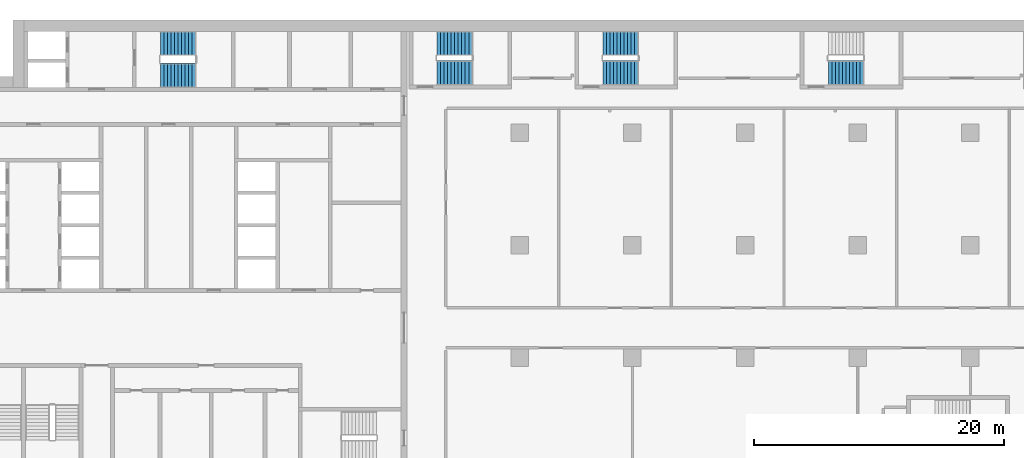
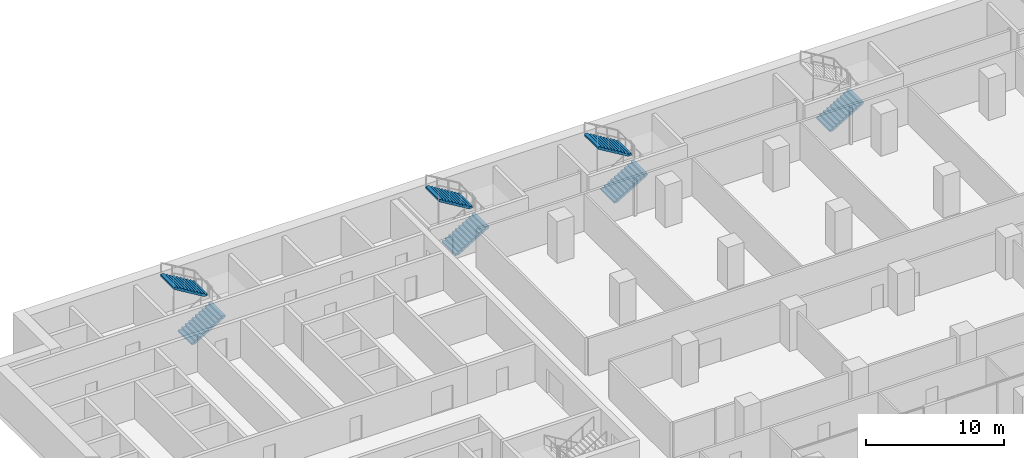
# One storey, part 22 of 29: 7 stair flights, 4 elements without a shape of their own.
"""IFC4 building model written with IfcOpenShell, lengths in metres."""

from ifc_helpers import new_model, si_unit, direction, frame, origin, place, context, subcontext, project, spatial, polyline, outline, extrude, material, type_object, element, aggregate, save


model = new_model("IFC4")

# Units and contexts
model_context = context("Model", 3, precision=1e-05, world=origin(), true_north=direction((0.0, 1.0)))
body_context = subcontext(model_context, "Body", "Model", "MODEL_VIEW")
ifc_project = project(units=[si_unit("LENGTHUNIT", "METRE"), si_unit("AREAUNIT", "SQUARE_METRE"), si_unit("VOLUMEUNIT", "CUBIC_METRE"), si_unit("PLANEANGLEUNIT", "RADIAN"), si_unit("MASSUNIT", "GRAM", prefix="KILO")], contexts=[model_context])

# Site, building, storey
site_placement = place(None, origin())
site = spatial("IfcSite", under=ifc_project, at=site_placement, CompositionType="ELEMENT")
building_placement = place(site_placement, origin())
building = spatial("IfcBuilding", under=site, at=building_placement, Name="Hunhe Ridgeline Campus", CompositionType="ELEMENT")
storey_placement = place(building_placement, frame((0.0, 0.0, 54.300048828125)))
storey = spatial("IfcBuildingStorey", under=building, at=storey_placement, Name="L12", CompositionType="ELEMENT", Elevation=54.300048828125)

# Stair, stair flights
ifc_material = material(Name="Concrete C40", Category="concrete")
stair_type = type_object("IfcStairType", Name="Reinforced concrete dog-leg stair 1950 Concrete C40", PredefinedType="HALF_TURN_STAIR", material=ifc_material)
stair_1_placement = place(storey_placement, origin())
stair_1 = element("IfcStair", 1, at=stair_1_placement, inside=storey, type_object=stair_type, Name="L12 S1", PredefinedType="HALF_TURN_STAIR")
stair_flight_type = type_object("IfcStairFlightType", Name="Reinforced concrete stair flight 1950 Concrete C40", PredefinedType="STRAIGHT", material=ifc_material)
stair_flight_1_placement = place(storey_placement, frame((16.300048828125, 94.574951171875, 0.0), z_axis=(0.0, 0.0, 1.0), x_axis=(1.0, 0.0, 0.0)))
stair_flight_1 = element("IfcStairFlight", 2, at=stair_flight_1_placement, type_object=stair_flight_type, Name="ST1 flight 1", NumberOfRisers=11, NumberOfTreads=10, PredefinedType="STRAIGHT", RiserHeight=0.168181818, TreadLength=0.28, context=body_context, shape_type="SweptSolid", body=[
    extrude(outline(polyline([(0.0, 0.0), (0.0, 0.168212890625), (0.280029296875, 0.168212890625), (0.280029296875, 0.33642578125), (0.56005859375, 0.33642578125), (0.56005859375, 0.504638671875), (0.840087890625, 0.504638671875), (0.840087890625, 0.672607421875), (1.1201171875, 0.672607421875), (1.1201171875, 0.8408203125), (1.39990234375, 0.8408203125), (1.39990234375, 1.009033203125), (1.679931640625, 1.009033203125), (1.679931640625, 1.17724609375), (1.9599609375, 1.17724609375), (1.9599609375, 1.345458984375), (2.239990234375, 1.345458984375), (2.239990234375, 1.513671875), (2.52001953125, 1.513671875), (2.52001953125, 1.681884765625), (2.800048828125, 1.681884765625), (2.800048828125, 1.85009765625), (2.800048828125, 1.5068359375), (0.291015625, 0.0), (0.0, 0.0)])), frame((0.0, 0.97509765625, 0.0), z_axis=(0.0, -1.0, 0.0), x_axis=(1.0, 0.0, 0.0)), (0.0, 0.0, 1.0), 1.949951171875),
    extrude(outline(polyline([(0.030029296875, 0.030029296875), (0.030029296875, 0.13818359375), (0.31005859375, 0.13818359375), (0.31005859375, 0.306396484375), (0.590087890625, 0.306396484375), (0.590087890625, 0.474609375), (0.8701171875, 0.474609375), (0.8701171875, 0.642578125), (1.14990234375, 0.642578125), (1.14990234375, 0.810791015625), (1.429931640625, 0.810791015625), (1.429931640625, 0.97900390625), (1.7099609375, 0.97900390625), (1.7099609375, 1.147216796875), (1.989990234375, 1.147216796875), (1.989990234375, 1.3154296875), (2.27001953125, 1.3154296875), (2.27001953125, 1.483642578125), (2.550048828125, 1.483642578125), (2.550048828125, 1.65185546875), (2.77001953125, 1.65185546875), (2.77001953125, 1.52392578125), (0.28271484375, 0.030029296875), (0.030029296875, 0.030029296875)])), frame((0.0, -0.070068359375, 0.0), z_axis=(0.0, -1.0, 0.0), x_axis=(1.0, 0.0, 0.0)), (0.0, 0.0, 1.0), 0.019775390625),
    extrude(outline(polyline([(0.030029296875, 0.030029296875), (0.030029296875, 0.13818359375), (0.31005859375, 0.13818359375), (0.31005859375, 0.306396484375), (0.590087890625, 0.306396484375), (0.590087890625, 0.474609375), (0.8701171875, 0.474609375), (0.8701171875, 0.642578125), (1.14990234375, 0.642578125), (1.14990234375, 0.810791015625), (1.429931640625, 0.810791015625), (1.429931640625, 0.97900390625), (1.7099609375, 0.97900390625), (1.7099609375, 1.147216796875), (1.989990234375, 1.147216796875), (1.989990234375, 1.3154296875), (2.27001953125, 1.3154296875), (2.27001953125, 1.483642578125), (2.550048828125, 1.483642578125), (2.550048828125, 1.65185546875), (2.77001953125, 1.65185546875), (2.77001953125, 1.52392578125), (0.28271484375, 0.030029296875), (0.030029296875, 0.030029296875)])), frame((0.0, 0.010009765625, 0.0), z_axis=(0.0, -1.0, 0.0), x_axis=(1.0, 0.0, 0.0)), (0.0, 0.0, 1.0), 0.019775390625),
    extrude(outline(polyline([(0.030029296875, 0.030029296875), (0.030029296875, 0.13818359375), (0.31005859375, 0.13818359375), (0.31005859375, 0.306396484375), (0.590087890625, 0.306396484375), (0.590087890625, 0.474609375), (0.8701171875, 0.474609375), (0.8701171875, 0.642578125), (1.14990234375, 0.642578125), (1.14990234375, 0.810791015625), (1.429931640625, 0.810791015625), (1.429931640625, 0.97900390625), (1.7099609375, 0.97900390625), (1.7099609375, 1.147216796875), (1.989990234375, 1.147216796875), (1.989990234375, 1.3154296875), (2.27001953125, 1.3154296875), (2.27001953125, 1.483642578125), (2.550048828125, 1.483642578125), (2.550048828125, 1.65185546875), (2.77001953125, 1.65185546875), (2.77001953125, 1.52392578125), (0.28271484375, 0.030029296875), (0.030029296875, 0.030029296875)])), frame((0.0, 0.090087890625, 0.0), z_axis=(0.0, -1.0, 0.0), x_axis=(1.0, 0.0, 0.0)), (0.0, 0.0, 1.0), 0.019775390625),
])
stair_flight_2_placement = place(storey_placement, frame((19.10009765625, 97.125, 1.849853515625), z_axis=(0.0, 0.0, 1.0), x_axis=(-1.0, 0.0, 0.0)))
stair_flight_2 = element("IfcStairFlight", 3, at=stair_flight_2_placement, type_object=stair_flight_type, Name="ST1 flight 2", NumberOfRisers=11, NumberOfTreads=10, PredefinedType="STRAIGHT", RiserHeight=0.168181818, TreadLength=0.28, context=body_context, shape_type="SweptSolid", body=[
    extrude(outline(polyline([(0.0, 0.0), (0.0, 0.168212890625), (0.280029296875, 0.168212890625), (0.280029296875, 0.33642578125), (0.56005859375, 0.33642578125), (0.56005859375, 0.504638671875), (0.840087890625, 0.504638671875), (0.840087890625, 0.672607421875), (1.1201171875, 0.672607421875), (1.1201171875, 0.8408203125), (1.39990234375, 0.8408203125), (1.39990234375, 1.009033203125), (1.679931640625, 1.009033203125), (1.679931640625, 1.17724609375), (1.9599609375, 1.17724609375), (1.9599609375, 1.345458984375), (2.239990234375, 1.345458984375), (2.239990234375, 1.513671875), (2.52001953125, 1.513671875), (2.52001953125, 1.681884765625), (2.800048828125, 1.681884765625), (2.800048828125, 1.85009765625), (2.800048828125, 1.5068359375), (0.291015625, 0.0), (0.0, 0.0)])), frame((0.0, 0.97509765625, 0.0), z_axis=(0.0, -1.0, 0.0), x_axis=(1.0, 0.0, 0.0)), (0.0, 0.0, 1.0), 1.949951171875),
    extrude(outline(polyline([(0.030029296875, 0.030029296875), (0.030029296875, 0.13818359375), (0.31005859375, 0.13818359375), (0.31005859375, 0.306396484375), (0.590087890625, 0.306396484375), (0.590087890625, 0.474609375), (0.8701171875, 0.474609375), (0.8701171875, 0.642578125), (1.14990234375, 0.642578125), (1.14990234375, 0.810791015625), (1.429931640625, 0.810791015625), (1.429931640625, 0.97900390625), (1.7099609375, 0.97900390625), (1.7099609375, 1.147216796875), (1.989990234375, 1.147216796875), (1.989990234375, 1.3154296875), (2.27001953125, 1.3154296875), (2.27001953125, 1.483642578125), (2.550048828125, 1.483642578125), (2.550048828125, 1.65185546875), (2.77001953125, 1.65185546875), (2.77001953125, 1.52392578125), (0.28271484375, 0.030029296875), (0.030029296875, 0.030029296875)])), frame((0.0, -0.070068359375, 0.0), z_axis=(0.0, -1.0, 0.0), x_axis=(1.0, 0.0, 0.0)), (0.0, 0.0, 1.0), 0.019775390625),
    extrude(outline(polyline([(0.030029296875, 0.030029296875), (0.030029296875, 0.13818359375), (0.31005859375, 0.13818359375), (0.31005859375, 0.306396484375), (0.590087890625, 0.306396484375), (0.590087890625, 0.474609375), (0.8701171875, 0.474609375), (0.8701171875, 0.642578125), (1.14990234375, 0.642578125), (1.14990234375, 0.810791015625), (1.429931640625, 0.810791015625), (1.429931640625, 0.97900390625), (1.7099609375, 0.97900390625), (1.7099609375, 1.147216796875), (1.989990234375, 1.147216796875), (1.989990234375, 1.3154296875), (2.27001953125, 1.3154296875), (2.27001953125, 1.483642578125), (2.550048828125, 1.483642578125), (2.550048828125, 1.65185546875), (2.77001953125, 1.65185546875), (2.77001953125, 1.52392578125), (0.28271484375, 0.030029296875), (0.030029296875, 0.030029296875)])), frame((0.0, 0.010009765625, 0.0), z_axis=(0.0, -1.0, 0.0), x_axis=(1.0, 0.0, 0.0)), (0.0, 0.0, 1.0), 0.019775390625),
    extrude(outline(polyline([(0.030029296875, 0.030029296875), (0.030029296875, 0.13818359375), (0.31005859375, 0.13818359375), (0.31005859375, 0.306396484375), (0.590087890625, 0.306396484375), (0.590087890625, 0.474609375), (0.8701171875, 0.474609375), (0.8701171875, 0.642578125), (1.14990234375, 0.642578125), (1.14990234375, 0.810791015625), (1.429931640625, 0.810791015625), (1.429931640625, 0.97900390625), (1.7099609375, 0.97900390625), (1.7099609375, 1.147216796875), (1.989990234375, 1.147216796875), (1.989990234375, 1.3154296875), (2.27001953125, 1.3154296875), (2.27001953125, 1.483642578125), (2.550048828125, 1.483642578125), (2.550048828125, 1.65185546875), (2.77001953125, 1.65185546875), (2.77001953125, 1.52392578125), (0.28271484375, 0.030029296875), (0.030029296875, 0.030029296875)])), frame((0.0, 0.090087890625, 0.0), z_axis=(0.0, -1.0, 0.0), x_axis=(1.0, 0.0, 0.0)), (0.0, 0.0, 1.0), 0.019775390625),
])
aggregate(stair_1, [stair_flight_1, stair_flight_2])

stair_2_placement = place(storey_placement, origin())
stair_2 = element("IfcStair", 4, at=stair_2_placement, inside=storey, type_object=stair_type, Name="L12 E1", PredefinedType="HALF_TURN_STAIR")
stair_flight_3_placement = place(storey_placement, frame((38.39990234375, 94.77490234375, 0.0), z_axis=(0.0, 0.0, 1.0), x_axis=(1.0, 0.0, 0.0)))
stair_flight_3 = element("IfcStairFlight", 5, at=stair_flight_3_placement, type_object=stair_flight_type, Name="ST5 flight 1", NumberOfRisers=11, NumberOfTreads=10, PredefinedType="STRAIGHT", RiserHeight=0.168181818, TreadLength=0.28, context=body_context, shape_type="SweptSolid", body=[
    extrude(outline(polyline([(0.0, 0.0), (0.0, 0.168212890625), (0.280029296875, 0.168212890625), (0.280029296875, 0.33642578125), (0.56005859375, 0.33642578125), (0.56005859375, 0.504638671875), (0.840087890625, 0.504638671875), (0.840087890625, 0.672607421875), (1.1201171875, 0.672607421875), (1.1201171875, 0.8408203125), (1.39990234375, 0.8408203125), (1.39990234375, 1.009033203125), (1.679931640625, 1.009033203125), (1.679931640625, 1.17724609375), (1.9599609375, 1.17724609375), (1.9599609375, 1.345458984375), (2.239990234375, 1.345458984375), (2.239990234375, 1.513671875), (2.52001953125, 1.513671875), (2.52001953125, 1.681884765625), (2.800048828125, 1.681884765625), (2.800048828125, 1.85009765625), (2.800048828125, 1.5068359375), (0.291015625, 0.0), (0.0, 0.0)])), frame((0.0, 0.97509765625, 0.0), z_axis=(0.0, -1.0, 0.0), x_axis=(1.0, 0.0, 0.0)), (0.0, 0.0, 1.0), 1.949951171875),
    extrude(outline(polyline([(0.030029296875, 0.030029296875), (0.030029296875, 0.13818359375), (0.31005859375, 0.13818359375), (0.31005859375, 0.306396484375), (0.590087890625, 0.306396484375), (0.590087890625, 0.474609375), (0.8701171875, 0.474609375), (0.8701171875, 0.642578125), (1.14990234375, 0.642578125), (1.14990234375, 0.810791015625), (1.429931640625, 0.810791015625), (1.429931640625, 0.97900390625), (1.7099609375, 0.97900390625), (1.7099609375, 1.147216796875), (1.989990234375, 1.147216796875), (1.989990234375, 1.3154296875), (2.27001953125, 1.3154296875), (2.27001953125, 1.483642578125), (2.550048828125, 1.483642578125), (2.550048828125, 1.65185546875), (2.77001953125, 1.65185546875), (2.77001953125, 1.52392578125), (0.28271484375, 0.030029296875), (0.030029296875, 0.030029296875)])), frame((0.0, -0.070068359375, 0.0), z_axis=(0.0, -1.0, 0.0), x_axis=(1.0, 0.0, 0.0)), (0.0, 0.0, 1.0), 0.019775390625),
    extrude(outline(polyline([(0.030029296875, 0.030029296875), (0.030029296875, 0.13818359375), (0.31005859375, 0.13818359375), (0.31005859375, 0.306396484375), (0.590087890625, 0.306396484375), (0.590087890625, 0.474609375), (0.8701171875, 0.474609375), (0.8701171875, 0.642578125), (1.14990234375, 0.642578125), (1.14990234375, 0.810791015625), (1.429931640625, 0.810791015625), (1.429931640625, 0.97900390625), (1.7099609375, 0.97900390625), (1.7099609375, 1.147216796875), (1.989990234375, 1.147216796875), (1.989990234375, 1.3154296875), (2.27001953125, 1.3154296875), (2.27001953125, 1.483642578125), (2.550048828125, 1.483642578125), (2.550048828125, 1.65185546875), (2.77001953125, 1.65185546875), (2.77001953125, 1.52392578125), (0.28271484375, 0.030029296875), (0.030029296875, 0.030029296875)])), frame((0.0, 0.010009765625, 0.0), z_axis=(0.0, -1.0, 0.0), x_axis=(1.0, 0.0, 0.0)), (0.0, 0.0, 1.0), 0.019775390625),
    extrude(outline(polyline([(0.030029296875, 0.030029296875), (0.030029296875, 0.13818359375), (0.31005859375, 0.13818359375), (0.31005859375, 0.306396484375), (0.590087890625, 0.306396484375), (0.590087890625, 0.474609375), (0.8701171875, 0.474609375), (0.8701171875, 0.642578125), (1.14990234375, 0.642578125), (1.14990234375, 0.810791015625), (1.429931640625, 0.810791015625), (1.429931640625, 0.97900390625), (1.7099609375, 0.97900390625), (1.7099609375, 1.147216796875), (1.989990234375, 1.147216796875), (1.989990234375, 1.3154296875), (2.27001953125, 1.3154296875), (2.27001953125, 1.483642578125), (2.550048828125, 1.483642578125), (2.550048828125, 1.65185546875), (2.77001953125, 1.65185546875), (2.77001953125, 1.52392578125), (0.28271484375, 0.030029296875), (0.030029296875, 0.030029296875)])), frame((0.0, 0.090087890625, 0.0), z_axis=(0.0, -1.0, 0.0), x_axis=(1.0, 0.0, 0.0)), (0.0, 0.0, 1.0), 0.019775390625),
])
stair_flight_4_placement = place(storey_placement, frame((41.199951171875, 97.125, 1.849853515625), z_axis=(0.0, 0.0, 1.0), x_axis=(-1.0, 0.0, 0.0)))
stair_flight_4 = element("IfcStairFlight", 6, at=stair_flight_4_placement, type_object=stair_flight_type, Name="ST5 flight 2", NumberOfRisers=11, NumberOfTreads=10, PredefinedType="STRAIGHT", RiserHeight=0.168181818, TreadLength=0.28, context=body_context, shape_type="SweptSolid", body=[
    extrude(outline(polyline([(0.0, 0.0), (0.0, 0.168212890625), (0.280029296875, 0.168212890625), (0.280029296875, 0.33642578125), (0.56005859375, 0.33642578125), (0.56005859375, 0.504638671875), (0.840087890625, 0.504638671875), (0.840087890625, 0.672607421875), (1.1201171875, 0.672607421875), (1.1201171875, 0.8408203125), (1.39990234375, 0.8408203125), (1.39990234375, 1.009033203125), (1.679931640625, 1.009033203125), (1.679931640625, 1.17724609375), (1.9599609375, 1.17724609375), (1.9599609375, 1.345458984375), (2.239990234375, 1.345458984375), (2.239990234375, 1.513671875), (2.52001953125, 1.513671875), (2.52001953125, 1.681884765625), (2.800048828125, 1.681884765625), (2.800048828125, 1.85009765625), (2.800048828125, 1.5068359375), (0.291015625, 0.0), (0.0, 0.0)])), frame((0.0, 0.97509765625, 0.0), z_axis=(0.0, -1.0, 0.0), x_axis=(1.0, 0.0, 0.0)), (0.0, 0.0, 1.0), 1.949951171875),
    extrude(outline(polyline([(0.030029296875, 0.030029296875), (0.030029296875, 0.13818359375), (0.31005859375, 0.13818359375), (0.31005859375, 0.306396484375), (0.590087890625, 0.306396484375), (0.590087890625, 0.474609375), (0.8701171875, 0.474609375), (0.8701171875, 0.642578125), (1.14990234375, 0.642578125), (1.14990234375, 0.810791015625), (1.429931640625, 0.810791015625), (1.429931640625, 0.97900390625), (1.7099609375, 0.97900390625), (1.7099609375, 1.147216796875), (1.989990234375, 1.147216796875), (1.989990234375, 1.3154296875), (2.27001953125, 1.3154296875), (2.27001953125, 1.483642578125), (2.550048828125, 1.483642578125), (2.550048828125, 1.65185546875), (2.77001953125, 1.65185546875), (2.77001953125, 1.52392578125), (0.28271484375, 0.030029296875), (0.030029296875, 0.030029296875)])), frame((0.0, -0.070068359375, 0.0), z_axis=(0.0, -1.0, 0.0), x_axis=(1.0, 0.0, 0.0)), (0.0, 0.0, 1.0), 0.019775390625),
    extrude(outline(polyline([(0.030029296875, 0.030029296875), (0.030029296875, 0.13818359375), (0.31005859375, 0.13818359375), (0.31005859375, 0.306396484375), (0.590087890625, 0.306396484375), (0.590087890625, 0.474609375), (0.8701171875, 0.474609375), (0.8701171875, 0.642578125), (1.14990234375, 0.642578125), (1.14990234375, 0.810791015625), (1.429931640625, 0.810791015625), (1.429931640625, 0.97900390625), (1.7099609375, 0.97900390625), (1.7099609375, 1.147216796875), (1.989990234375, 1.147216796875), (1.989990234375, 1.3154296875), (2.27001953125, 1.3154296875), (2.27001953125, 1.483642578125), (2.550048828125, 1.483642578125), (2.550048828125, 1.65185546875), (2.77001953125, 1.65185546875), (2.77001953125, 1.52392578125), (0.28271484375, 0.030029296875), (0.030029296875, 0.030029296875)])), frame((0.0, 0.010009765625, 0.0), z_axis=(0.0, -1.0, 0.0), x_axis=(1.0, 0.0, 0.0)), (0.0, 0.0, 1.0), 0.019775390625),
    extrude(outline(polyline([(0.030029296875, 0.030029296875), (0.030029296875, 0.13818359375), (0.31005859375, 0.13818359375), (0.31005859375, 0.306396484375), (0.590087890625, 0.306396484375), (0.590087890625, 0.474609375), (0.8701171875, 0.474609375), (0.8701171875, 0.642578125), (1.14990234375, 0.642578125), (1.14990234375, 0.810791015625), (1.429931640625, 0.810791015625), (1.429931640625, 0.97900390625), (1.7099609375, 0.97900390625), (1.7099609375, 1.147216796875), (1.989990234375, 1.147216796875), (1.989990234375, 1.3154296875), (2.27001953125, 1.3154296875), (2.27001953125, 1.483642578125), (2.550048828125, 1.483642578125), (2.550048828125, 1.65185546875), (2.77001953125, 1.65185546875), (2.77001953125, 1.52392578125), (0.28271484375, 0.030029296875), (0.030029296875, 0.030029296875)])), frame((0.0, 0.090087890625, 0.0), z_axis=(0.0, -1.0, 0.0), x_axis=(1.0, 0.0, 0.0)), (0.0, 0.0, 1.0), 0.019775390625),
])
aggregate(stair_2, [stair_flight_3, stair_flight_4])

stair_3_placement = place(storey_placement, origin())
stair_3 = element("IfcStair", 7, at=stair_3_placement, inside=storey, type_object=stair_type, Name="L12 E2", PredefinedType="HALF_TURN_STAIR")
stair_flight_5_placement = place(storey_placement, frame((51.64990234375, 94.77490234375, 0.0), z_axis=(0.0, 0.0, 1.0), x_axis=(1.0, 0.0, 0.0)))
stair_flight_5 = element("IfcStairFlight", 8, at=stair_flight_5_placement, type_object=stair_flight_type, Name="ST6 flight 1", NumberOfRisers=11, NumberOfTreads=10, PredefinedType="STRAIGHT", RiserHeight=0.168181818, TreadLength=0.28, context=body_context, shape_type="SweptSolid", body=[
    extrude(outline(polyline([(0.0, 0.0), (0.0, 0.168212890625), (0.280029296875, 0.168212890625), (0.280029296875, 0.33642578125), (0.56005859375, 0.33642578125), (0.56005859375, 0.504638671875), (0.840087890625, 0.504638671875), (0.840087890625, 0.672607421875), (1.1201171875, 0.672607421875), (1.1201171875, 0.8408203125), (1.39990234375, 0.8408203125), (1.39990234375, 1.009033203125), (1.679931640625, 1.009033203125), (1.679931640625, 1.17724609375), (1.9599609375, 1.17724609375), (1.9599609375, 1.345458984375), (2.239990234375, 1.345458984375), (2.239990234375, 1.513671875), (2.52001953125, 1.513671875), (2.52001953125, 1.681884765625), (2.800048828125, 1.681884765625), (2.800048828125, 1.85009765625), (2.800048828125, 1.5068359375), (0.291015625, 0.0), (0.0, 0.0)])), frame((0.0, 0.97509765625, 0.0), z_axis=(0.0, -1.0, 0.0), x_axis=(1.0, 0.0, 0.0)), (0.0, 0.0, 1.0), 1.949951171875),
    extrude(outline(polyline([(0.030029296875, 0.030029296875), (0.030029296875, 0.13818359375), (0.31005859375, 0.13818359375), (0.31005859375, 0.306396484375), (0.590087890625, 0.306396484375), (0.590087890625, 0.474609375), (0.8701171875, 0.474609375), (0.8701171875, 0.642578125), (1.14990234375, 0.642578125), (1.14990234375, 0.810791015625), (1.429931640625, 0.810791015625), (1.429931640625, 0.97900390625), (1.7099609375, 0.97900390625), (1.7099609375, 1.147216796875), (1.989990234375, 1.147216796875), (1.989990234375, 1.3154296875), (2.27001953125, 1.3154296875), (2.27001953125, 1.483642578125), (2.550048828125, 1.483642578125), (2.550048828125, 1.65185546875), (2.77001953125, 1.65185546875), (2.77001953125, 1.52392578125), (0.28271484375, 0.030029296875), (0.030029296875, 0.030029296875)])), frame((0.0, -0.070068359375, 0.0), z_axis=(0.0, -1.0, 0.0), x_axis=(1.0, 0.0, 0.0)), (0.0, 0.0, 1.0), 0.019775390625),
    extrude(outline(polyline([(0.030029296875, 0.030029296875), (0.030029296875, 0.13818359375), (0.31005859375, 0.13818359375), (0.31005859375, 0.306396484375), (0.590087890625, 0.306396484375), (0.590087890625, 0.474609375), (0.8701171875, 0.474609375), (0.8701171875, 0.642578125), (1.14990234375, 0.642578125), (1.14990234375, 0.810791015625), (1.429931640625, 0.810791015625), (1.429931640625, 0.97900390625), (1.7099609375, 0.97900390625), (1.7099609375, 1.147216796875), (1.989990234375, 1.147216796875), (1.989990234375, 1.3154296875), (2.27001953125, 1.3154296875), (2.27001953125, 1.483642578125), (2.550048828125, 1.483642578125), (2.550048828125, 1.65185546875), (2.77001953125, 1.65185546875), (2.77001953125, 1.52392578125), (0.28271484375, 0.030029296875), (0.030029296875, 0.030029296875)])), frame((0.0, 0.010009765625, 0.0), z_axis=(0.0, -1.0, 0.0), x_axis=(1.0, 0.0, 0.0)), (0.0, 0.0, 1.0), 0.019775390625),
    extrude(outline(polyline([(0.030029296875, 0.030029296875), (0.030029296875, 0.13818359375), (0.31005859375, 0.13818359375), (0.31005859375, 0.306396484375), (0.590087890625, 0.306396484375), (0.590087890625, 0.474609375), (0.8701171875, 0.474609375), (0.8701171875, 0.642578125), (1.14990234375, 0.642578125), (1.14990234375, 0.810791015625), (1.429931640625, 0.810791015625), (1.429931640625, 0.97900390625), (1.7099609375, 0.97900390625), (1.7099609375, 1.147216796875), (1.989990234375, 1.147216796875), (1.989990234375, 1.3154296875), (2.27001953125, 1.3154296875), (2.27001953125, 1.483642578125), (2.550048828125, 1.483642578125), (2.550048828125, 1.65185546875), (2.77001953125, 1.65185546875), (2.77001953125, 1.52392578125), (0.28271484375, 0.030029296875), (0.030029296875, 0.030029296875)])), frame((0.0, 0.090087890625, 0.0), z_axis=(0.0, -1.0, 0.0), x_axis=(1.0, 0.0, 0.0)), (0.0, 0.0, 1.0), 0.019775390625),
])
stair_flight_6_placement = place(storey_placement, frame((54.449951171875, 97.125, 1.849853515625), z_axis=(0.0, 0.0, 1.0), x_axis=(-1.0, 0.0, 0.0)))
stair_flight_6 = element("IfcStairFlight", 9, at=stair_flight_6_placement, type_object=stair_flight_type, Name="ST6 flight 2", NumberOfRisers=11, NumberOfTreads=10, PredefinedType="STRAIGHT", RiserHeight=0.168181818, TreadLength=0.28, context=body_context, shape_type="SweptSolid", body=[
    extrude(outline(polyline([(0.0, 0.0), (0.0, 0.168212890625), (0.280029296875, 0.168212890625), (0.280029296875, 0.33642578125), (0.56005859375, 0.33642578125), (0.56005859375, 0.504638671875), (0.840087890625, 0.504638671875), (0.840087890625, 0.672607421875), (1.1201171875, 0.672607421875), (1.1201171875, 0.8408203125), (1.39990234375, 0.8408203125), (1.39990234375, 1.009033203125), (1.679931640625, 1.009033203125), (1.679931640625, 1.17724609375), (1.9599609375, 1.17724609375), (1.9599609375, 1.345458984375), (2.239990234375, 1.345458984375), (2.239990234375, 1.513671875), (2.52001953125, 1.513671875), (2.52001953125, 1.681884765625), (2.800048828125, 1.681884765625), (2.800048828125, 1.85009765625), (2.800048828125, 1.5068359375), (0.291015625, 0.0), (0.0, 0.0)])), frame((0.0, 0.97509765625, 0.0), z_axis=(0.0, -1.0, 0.0), x_axis=(1.0, 0.0, 0.0)), (0.0, 0.0, 1.0), 1.949951171875),
    extrude(outline(polyline([(0.030029296875, 0.030029296875), (0.030029296875, 0.13818359375), (0.31005859375, 0.13818359375), (0.31005859375, 0.306396484375), (0.590087890625, 0.306396484375), (0.590087890625, 0.474609375), (0.8701171875, 0.474609375), (0.8701171875, 0.642578125), (1.14990234375, 0.642578125), (1.14990234375, 0.810791015625), (1.429931640625, 0.810791015625), (1.429931640625, 0.97900390625), (1.7099609375, 0.97900390625), (1.7099609375, 1.147216796875), (1.989990234375, 1.147216796875), (1.989990234375, 1.3154296875), (2.27001953125, 1.3154296875), (2.27001953125, 1.483642578125), (2.550048828125, 1.483642578125), (2.550048828125, 1.65185546875), (2.77001953125, 1.65185546875), (2.77001953125, 1.52392578125), (0.28271484375, 0.030029296875), (0.030029296875, 0.030029296875)])), frame((0.0, -0.070068359375, 0.0), z_axis=(0.0, -1.0, 0.0), x_axis=(1.0, 0.0, 0.0)), (0.0, 0.0, 1.0), 0.019775390625),
    extrude(outline(polyline([(0.030029296875, 0.030029296875), (0.030029296875, 0.13818359375), (0.31005859375, 0.13818359375), (0.31005859375, 0.306396484375), (0.590087890625, 0.306396484375), (0.590087890625, 0.474609375), (0.8701171875, 0.474609375), (0.8701171875, 0.642578125), (1.14990234375, 0.642578125), (1.14990234375, 0.810791015625), (1.429931640625, 0.810791015625), (1.429931640625, 0.97900390625), (1.7099609375, 0.97900390625), (1.7099609375, 1.147216796875), (1.989990234375, 1.147216796875), (1.989990234375, 1.3154296875), (2.27001953125, 1.3154296875), (2.27001953125, 1.483642578125), (2.550048828125, 1.483642578125), (2.550048828125, 1.65185546875), (2.77001953125, 1.65185546875), (2.77001953125, 1.52392578125), (0.28271484375, 0.030029296875), (0.030029296875, 0.030029296875)])), frame((0.0, 0.010009765625, 0.0), z_axis=(0.0, -1.0, 0.0), x_axis=(1.0, 0.0, 0.0)), (0.0, 0.0, 1.0), 0.019775390625),
    extrude(outline(polyline([(0.030029296875, 0.030029296875), (0.030029296875, 0.13818359375), (0.31005859375, 0.13818359375), (0.31005859375, 0.306396484375), (0.590087890625, 0.306396484375), (0.590087890625, 0.474609375), (0.8701171875, 0.474609375), (0.8701171875, 0.642578125), (1.14990234375, 0.642578125), (1.14990234375, 0.810791015625), (1.429931640625, 0.810791015625), (1.429931640625, 0.97900390625), (1.7099609375, 0.97900390625), (1.7099609375, 1.147216796875), (1.989990234375, 1.147216796875), (1.989990234375, 1.3154296875), (2.27001953125, 1.3154296875), (2.27001953125, 1.483642578125), (2.550048828125, 1.483642578125), (2.550048828125, 1.65185546875), (2.77001953125, 1.65185546875), (2.77001953125, 1.52392578125), (0.28271484375, 0.030029296875), (0.030029296875, 0.030029296875)])), frame((0.0, 0.090087890625, 0.0), z_axis=(0.0, -1.0, 0.0), x_axis=(1.0, 0.0, 0.0)), (0.0, 0.0, 1.0), 0.019775390625),
])
aggregate(stair_3, [stair_flight_5, stair_flight_6])

# Stair, stair flight
stair_4_placement = place(storey_placement, origin())
stair_4 = element("IfcStair", 10, at=stair_4_placement, inside=storey, type_object=stair_type, Name="L12 E3", PredefinedType="HALF_TURN_STAIR")
stair_flight_7_placement = place(storey_placement, frame((69.64990234375, 94.77490234375, 0.0), z_axis=(0.0, 0.0, 1.0), x_axis=(1.0, 0.0, 0.0)))
stair_flight_7 = element("IfcStairFlight", 11, at=stair_flight_7_placement, type_object=stair_flight_type, Name="ST7 flight 1", NumberOfRisers=11, NumberOfTreads=10, PredefinedType="STRAIGHT", RiserHeight=0.168181818, TreadLength=0.28, context=body_context, shape_type="SweptSolid", body=[
    extrude(outline(polyline([(0.0, 0.0), (0.0, 0.168212890625), (0.280029296875, 0.168212890625), (0.280029296875, 0.33642578125), (0.56005859375, 0.33642578125), (0.56005859375, 0.504638671875), (0.840087890625, 0.504638671875), (0.840087890625, 0.672607421875), (1.1201171875, 0.672607421875), (1.1201171875, 0.8408203125), (1.39990234375, 0.8408203125), (1.39990234375, 1.009033203125), (1.679931640625, 1.009033203125), (1.679931640625, 1.17724609375), (1.9599609375, 1.17724609375), (1.9599609375, 1.345458984375), (2.239990234375, 1.345458984375), (2.239990234375, 1.513671875), (2.52001953125, 1.513671875), (2.52001953125, 1.681884765625), (2.800048828125, 1.681884765625), (2.800048828125, 1.85009765625), (2.800048828125, 1.5068359375), (0.291015625, 0.0), (0.0, 0.0)])), frame((0.0, 0.97509765625, 0.0), z_axis=(0.0, -1.0, 0.0), x_axis=(1.0, 0.0, 0.0)), (0.0, 0.0, 1.0), 1.949951171875),
    extrude(outline(polyline([(0.030029296875, 0.030029296875), (0.030029296875, 0.13818359375), (0.31005859375, 0.13818359375), (0.31005859375, 0.306396484375), (0.590087890625, 0.306396484375), (0.590087890625, 0.474609375), (0.8701171875, 0.474609375), (0.8701171875, 0.642578125), (1.14990234375, 0.642578125), (1.14990234375, 0.810791015625), (1.429931640625, 0.810791015625), (1.429931640625, 0.97900390625), (1.7099609375, 0.97900390625), (1.7099609375, 1.147216796875), (1.989990234375, 1.147216796875), (1.989990234375, 1.3154296875), (2.27001953125, 1.3154296875), (2.27001953125, 1.483642578125), (2.550048828125, 1.483642578125), (2.550048828125, 1.65185546875), (2.77001953125, 1.65185546875), (2.77001953125, 1.52392578125), (0.28271484375, 0.030029296875), (0.030029296875, 0.030029296875)])), frame((0.0, -0.070068359375, 0.0), z_axis=(0.0, -1.0, 0.0), x_axis=(1.0, 0.0, 0.0)), (0.0, 0.0, 1.0), 0.019775390625),
    extrude(outline(polyline([(0.030029296875, 0.030029296875), (0.030029296875, 0.13818359375), (0.31005859375, 0.13818359375), (0.31005859375, 0.306396484375), (0.590087890625, 0.306396484375), (0.590087890625, 0.474609375), (0.8701171875, 0.474609375), (0.8701171875, 0.642578125), (1.14990234375, 0.642578125), (1.14990234375, 0.810791015625), (1.429931640625, 0.810791015625), (1.429931640625, 0.97900390625), (1.7099609375, 0.97900390625), (1.7099609375, 1.147216796875), (1.989990234375, 1.147216796875), (1.989990234375, 1.3154296875), (2.27001953125, 1.3154296875), (2.27001953125, 1.483642578125), (2.550048828125, 1.483642578125), (2.550048828125, 1.65185546875), (2.77001953125, 1.65185546875), (2.77001953125, 1.52392578125), (0.28271484375, 0.030029296875), (0.030029296875, 0.030029296875)])), frame((0.0, 0.010009765625, 0.0), z_axis=(0.0, -1.0, 0.0), x_axis=(1.0, 0.0, 0.0)), (0.0, 0.0, 1.0), 0.019775390625),
    extrude(outline(polyline([(0.030029296875, 0.030029296875), (0.030029296875, 0.13818359375), (0.31005859375, 0.13818359375), (0.31005859375, 0.306396484375), (0.590087890625, 0.306396484375), (0.590087890625, 0.474609375), (0.8701171875, 0.474609375), (0.8701171875, 0.642578125), (1.14990234375, 0.642578125), (1.14990234375, 0.810791015625), (1.429931640625, 0.810791015625), (1.429931640625, 0.97900390625), (1.7099609375, 0.97900390625), (1.7099609375, 1.147216796875), (1.989990234375, 1.147216796875), (1.989990234375, 1.3154296875), (2.27001953125, 1.3154296875), (2.27001953125, 1.483642578125), (2.550048828125, 1.483642578125), (2.550048828125, 1.65185546875), (2.77001953125, 1.65185546875), (2.77001953125, 1.52392578125), (0.28271484375, 0.030029296875), (0.030029296875, 0.030029296875)])), frame((0.0, 0.090087890625, 0.0), z_axis=(0.0, -1.0, 0.0), x_axis=(1.0, 0.0, 0.0)), (0.0, 0.0, 1.0), 0.019775390625),
])
aggregate(stair_4, [stair_flight_7])

save(model, "model.ifc")
